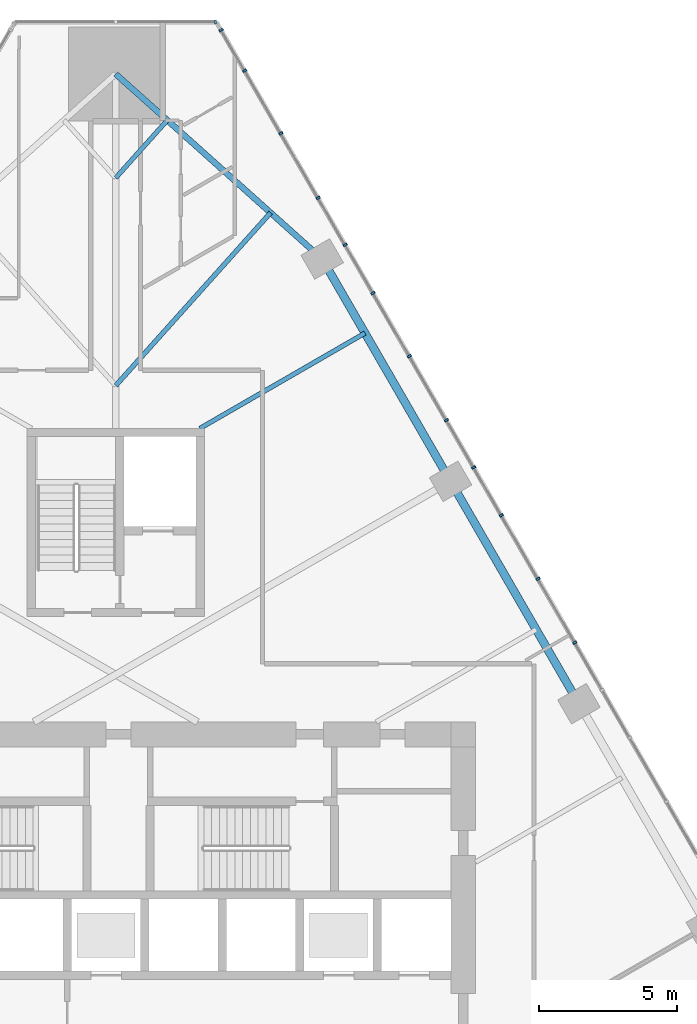
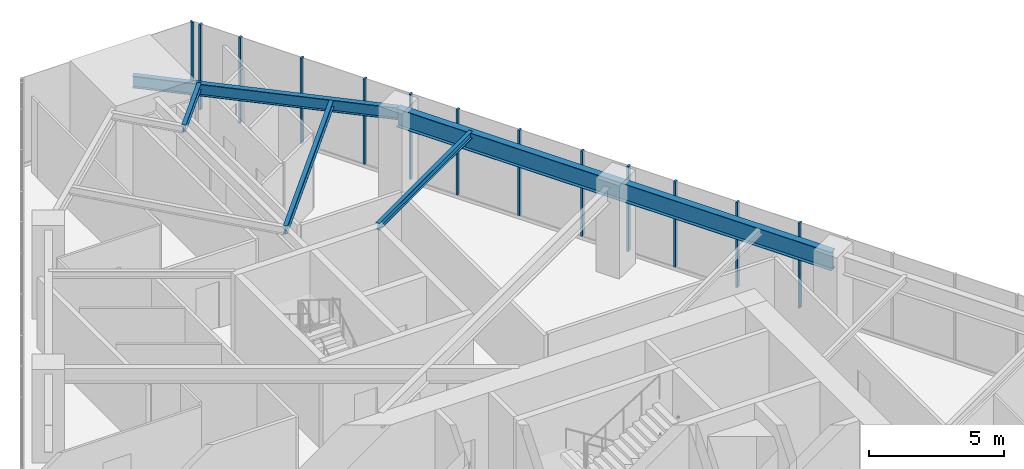
# One storey, part 10 of 22: 13 members, 5 beams, 2 elements without a shape of their own.
"""IFC4 building model written with IfcOpenShell, lengths in metres."""

from ifc_helpers import new_model, si_unit, direction, frame, origin, origin_2d, place, context, subcontext, project, spatial, rectangle, i_section, extrude, material, layer, layer_set, material_profile, profile_set, type_object, element, aggregate, save


model = new_model("IFC4")

# Units and contexts
model_context = context("Model", 3, precision=1e-05, world=origin(), true_north=direction((0.0, 1.0)))
body_context = subcontext(model_context, "Body", "Model", "MODEL_VIEW")
ifc_project = project(units=[si_unit("LENGTHUNIT", "METRE"), si_unit("AREAUNIT", "SQUARE_METRE"), si_unit("VOLUMEUNIT", "CUBIC_METRE"), si_unit("PLANEANGLEUNIT", "RADIAN"), si_unit("MASSUNIT", "GRAM", prefix="KILO")], contexts=[model_context])

# Site, building, storey
site_placement = place(None, origin())
site = spatial("IfcSite", under=ifc_project, at=site_placement, CompositionType="ELEMENT")
building_placement = place(site_placement, origin())
building = spatial("IfcBuilding", under=site, at=building_placement, Name="Firuza Gate Tower and Library", CompositionType="ELEMENT")
storey_placement = place(building_placement, frame((0.0, 0.0, 132.39990234375)))
storey = spatial("IfcBuildingStorey", under=building, at=storey_placement, Name="L30", CompositionType="ELEMENT", Elevation=132.39990234375)

# Curtain wall, members
ifc_material_1 = material(Name="Aluminium 6063-T6", Category="aluminium")
ifc_layer_1 = layer(ifc_material_1, 0.14990234375)
ifc_layer_set_1 = layer_set([ifc_layer_1], Name="Unitised curtain wall, offices")
curtain_wall_type_1 = type_object("IfcCurtainWallType", Name="Unitised curtain wall, offices", PredefinedType="NOTDEFINED", material=ifc_layer_set_1)
placement = place(storey_placement, origin())
curtain_wall_1 = element("IfcCurtainWall", 1, at=placement, inside=storey, type_object=curtain_wall_type_1, Name="CW1 L30 E face", PredefinedType="NOTDEFINED")
ifc_material_2 = material(Name="Aluminium 6063-T6", Category="aluminium")
ifc_material_profile_1 = material_profile(ifc_material_2, rectangle(XDim=0.14990234375, YDim=0.080078125, at=origin_2d()))
ifc_profile_set_1 = profile_set([ifc_material_profile_1], Name="Aluminium 6063-T6")
member_type = type_object("IfcMemberType", Name="Curtain wall mullion 80x150", PredefinedType="MULLION", material=ifc_profile_set_1)
member_1_placement = place(storey_placement, frame((90.251708984375, 89.167236328125, 0.150146484375), z_axis=(0.0, 0.0, 1.0), x_axis=(-0.866025403784, -0.5, 0.0)))
member_1 = element("IfcMember", 2, at=member_1_placement, type_object=member_type, Name="Mullion", PredefinedType="MULLION", context=body_context, shape_type="SweptSolid", body=[
    extrude(rectangle(XDim=0.14990234375, YDim=0.080078125, at=origin_2d()), origin(), (0.0, 0.0, 1.0), 3.849853515625),
])
member_2_placement = place(storey_placement, frame((87.929931640625, 93.1884765625, 0.150146484375), z_axis=(0.0, 0.0, 1.0), x_axis=(-0.866025403784, -0.5, 0.0)))
member_2 = element("IfcMember", 3, at=member_2_placement, type_object=member_type, Name="Mullion", PredefinedType="MULLION", context=body_context, shape_type="SweptSolid", body=[
    extrude(rectangle(XDim=0.14990234375, YDim=0.080078125, at=origin_2d()), origin(), (0.0, 0.0, 1.0), 3.849853515625),
])
member_3_placement = place(storey_placement, frame((85.6083984375, 97.209716796875, 0.150146484375), z_axis=(0.0, 0.0, 1.0), x_axis=(-0.866025403784, -0.5, 0.0)))
member_3 = element("IfcMember", 4, at=member_3_placement, type_object=member_type, Name="Mullion", PredefinedType="MULLION", context=body_context, shape_type="SweptSolid", body=[
    extrude(rectangle(XDim=0.14990234375, YDim=0.080078125, at=origin_2d()), origin(), (0.0, 0.0, 1.0), 3.849853515625),
])
member_4_placement = place(storey_placement, frame((83.28662109375, 101.23095703125, 0.150146484375), z_axis=(0.0, 0.0, 1.0), x_axis=(-0.866025403784, -0.5, 0.0)))
member_4 = element("IfcMember", 5, at=member_4_placement, type_object=member_type, Name="Mullion", PredefinedType="MULLION", context=body_context, shape_type="SweptSolid", body=[
    extrude(rectangle(XDim=0.14990234375, YDim=0.080078125, at=origin_2d()), origin(), (0.0, 0.0, 1.0), 3.849853515625),
])
member_5_placement = place(storey_placement, frame((80.965087890625, 105.25244140625, 0.150146484375), z_axis=(0.0, 0.0, 1.0), x_axis=(-0.866025403784, -0.5, 0.0)))
member_5 = element("IfcMember", 6, at=member_5_placement, type_object=member_type, Name="Mullion", PredefinedType="MULLION", context=body_context, shape_type="SweptSolid", body=[
    extrude(rectangle(XDim=0.14990234375, YDim=0.080078125, at=origin_2d()), origin(), (0.0, 0.0, 1.0), 3.849853515625),
])
member_6_placement = place(storey_placement, frame((91.58154296875, 86.864013671875, 0.150146484375), z_axis=(0.0, 0.0, 1.0), x_axis=(-0.866025403784, -0.5, 0.0)))
member_6 = element("IfcMember", 7, at=member_6_placement, type_object=member_type, Name="Mullion", PredefinedType="MULLION", context=body_context, shape_type="SweptSolid", body=[
    extrude(rectangle(XDim=0.14990234375, YDim=0.080078125, at=origin_2d()), origin(), (0.0, 0.0, 1.0), 3.849853515625),
])
member_7_placement = place(storey_placement, frame((88.92919921875, 91.4580078125, 0.150146484375), z_axis=(0.0, 0.0, 1.0), x_axis=(-0.866025403784, -0.5, 0.0)))
member_7 = element("IfcMember", 8, at=member_7_placement, type_object=member_type, Name="Mullion", PredefinedType="MULLION", context=body_context, shape_type="SweptSolid", body=[
    extrude(rectangle(XDim=0.14990234375, YDim=0.080078125, at=origin_2d()), origin(), (0.0, 0.0, 1.0), 3.849853515625),
])
member_8_placement = place(storey_placement, frame((86.9453125, 94.89404296875, 0.150146484375), z_axis=(0.0, 0.0, 1.0), x_axis=(-0.866025403784, -0.5, 0.0)))
member_8 = element("IfcMember", 9, at=member_8_placement, type_object=member_type, Name="Mullion", PredefinedType="MULLION", context=body_context, shape_type="SweptSolid", body=[
    extrude(rectangle(XDim=0.14990234375, YDim=0.080078125, at=origin_2d()), origin(), (0.0, 0.0, 1.0), 3.849853515625),
])
member_9_placement = place(storey_placement, frame((84.29296875, 99.488037109375, 0.150146484375), z_axis=(0.0, 0.0, 1.0), x_axis=(-0.866025403784, -0.5, 0.0)))
member_9 = element("IfcMember", 10, at=member_9_placement, type_object=member_type, Name="Mullion", PredefinedType="MULLION", context=body_context, shape_type="SweptSolid", body=[
    extrude(rectangle(XDim=0.14990234375, YDim=0.080078125, at=origin_2d()), origin(), (0.0, 0.0, 1.0), 3.849853515625),
])
member_10_placement = place(storey_placement, frame((82.309326171875, 102.924072265625, 0.150146484375), z_axis=(0.0, 0.0, 1.0), x_axis=(-0.866025403784, -0.5, 0.0)))
member_10 = element("IfcMember", 11, at=member_10_placement, type_object=member_type, Name="Mullion", PredefinedType="MULLION", context=body_context, shape_type="SweptSolid", body=[
    extrude(rectangle(XDim=0.14990234375, YDim=0.080078125, at=origin_2d()), origin(), (0.0, 0.0, 1.0), 3.849853515625),
])
member_11_placement = place(storey_placement, frame((79.65673828125, 107.51806640625, 0.150146484375), z_axis=(0.0, 0.0, 1.0), x_axis=(-0.866025403784, -0.5, 0.0)))
member_11 = element("IfcMember", 12, at=member_11_placement, type_object=member_type, Name="Mullion", PredefinedType="MULLION", context=body_context, shape_type="SweptSolid", body=[
    extrude(rectangle(XDim=0.14990234375, YDim=0.080078125, at=origin_2d()), origin(), (0.0, 0.0, 1.0), 3.849853515625),
])
member_12_placement = place(storey_placement, frame((78.808837890625, 108.98681640625, 0.150146484375), z_axis=(0.0, 0.0, 1.0), x_axis=(-0.866025403784, -0.5, 0.0)))
member_12 = element("IfcMember", 13, at=member_12_placement, type_object=member_type, Name="Mullion", PredefinedType="MULLION", context=body_context, shape_type="SweptSolid", body=[
    extrude(rectangle(XDim=0.14990234375, YDim=0.080078125, at=origin_2d()), origin(), (0.0, 0.0, 1.0), 3.849853515625),
])
aggregate(curtain_wall_1, [member_1, member_2, member_3, member_4, member_5, member_6, member_7, member_8, member_9, member_10, member_11, member_12])

# Curtain wall, member
ifc_material_3 = material(Name="Aluminium 6063-T6", Category="aluminium")
ifc_layer_2 = layer(ifc_material_3, 0.14990234375)
ifc_layer_set_2 = layer_set([ifc_layer_2], Name="Corner curtain wall, chamfers")
curtain_wall_type_2 = type_object("IfcCurtainWallType", Name="Corner curtain wall, chamfers", PredefinedType="NOTDEFINED", material=ifc_layer_set_2)
curtain_wall_2 = element("IfcCurtainWall", 14, at=placement, inside=storey, type_object=curtain_wall_type_2, Name="CW4 L30 N corner", PredefinedType="NOTDEFINED")
member_13_placement = place(storey_placement, frame((78.603271484375, 109.273681640625, 0.150146484375), z_axis=(0.0, 0.0, 1.0), x_axis=(0.0, -1.0, 0.0)))
member_13 = element("IfcMember", 15, at=member_13_placement, type_object=member_type, Name="Mullion", PredefinedType="MULLION", context=body_context, shape_type="SweptSolid", body=[
    extrude(rectangle(XDim=0.14990234375, YDim=0.080078125, at=origin_2d()), origin(), (0.0, 0.0, 1.0), 3.849853515625),
])
aggregate(curtain_wall_2, [member_13])

# Beams
ifc_material_4 = material(Name="Steel S355", Category="steel")
ifc_material_profile_2 = material_profile(ifc_material_4, i_section(OverallWidth=0.1650390625, OverallDepth=0.31005859375, WebThickness=0.005859375, FlangeThickness=0.009765625, at=origin_2d()))
ifc_profile_set_2 = profile_set([ifc_material_profile_2], Name="Steel S355")
beam_type_1 = type_object("IfcBeamType", Name="W310x39 Floor beam", PredefinedType="JOIST", material=ifc_profile_set_2)
beam_1_placement = place(storey_placement, frame((84.002197265625, 98.0419921875, 3.84521484375), z_axis=(-0.866030259979, -0.49999158873, 0.0), x_axis=(0.49999158873, -0.866030259979, 0.0)))
element("IfcBeam", 16, at=beam_1_placement, inside=storey, type_object=beam_type_1, Name="Floor beam L30 s55", PredefinedType="JOIST", context=body_context, shape_type="SweptSolid", body=[
    extrude(i_section(OverallWidth=0.1650390625, OverallDepth=0.31005859375, WebThickness=0.005859375, FlangeThickness=0.009765625, at=origin_2d()), origin(), (0.0, 0.0, 1.0), 6.8837890625),
])
beam_2_placement = place(storey_placement, frame((76.8642578125, 105.728515625, 3.84521484375), z_axis=(-0.667287711118, -0.744800047389, 0.0), x_axis=(0.744800047389, -0.667287711118, 0.0)))
element("IfcBeam", 17, at=beam_2_placement, inside=storey, type_object=beam_type_1, Name="Floor beam L30 s61", PredefinedType="JOIST", context=body_context, shape_type="SweptSolid", body=[
    extrude(i_section(OverallWidth=0.1650390625, OverallDepth=0.31005859375, WebThickness=0.005859375, FlangeThickness=0.009765625, at=origin_2d()), origin(), (0.0, 0.0, 1.0), 2.793701171875),
])
ifc_material_5 = material(Name="Steel S355", Category="steel")
ifc_material_profile_3 = material_profile(ifc_material_5, i_section(OverallWidth=0.1708984375, OverallDepth=0.35498046875, WebThickness=0.007080078125, FlangeThickness=0.01171875, at=origin_2d()))
ifc_profile_set_3 = profile_set([ifc_material_profile_3], Name="Steel S355")
beam_type_2 = type_object("IfcBeamType", Name="W360x51 Floor beam", PredefinedType="JOIST", material=ifc_profile_set_3)
beam_3_placement = place(storey_placement, frame((80.592529296875, 102.388671875, 3.822509765625), z_axis=(-0.667242598302, -0.744840462792, 0.0), x_axis=(0.744840462792, -0.667242598302, 0.0)))
element("IfcBeam", 18, at=beam_3_placement, inside=storey, type_object=beam_type_2, Name="Floor beam L30 s60", PredefinedType="JOIST", context=body_context, shape_type="SweptSolid", body=[
    extrude(i_section(OverallWidth=0.1708984375, OverallDepth=0.35498046875, WebThickness=0.007080078125, FlangeThickness=0.01171875, at=origin_2d()), origin(), (0.0, 0.0, 1.0), 8.381591796875),
])
ifc_material_6 = material(Name="Steel S355", Category="steel")
ifc_material_profile_4 = material_profile(ifc_material_6, i_section(OverallWidth=0.212890625, OverallDepth=0.5390625, WebThickness=0.01171875, FlangeThickness=0.018798828125, at=origin_2d()))
ifc_profile_set_4 = profile_set([ifc_material_profile_4], Name="Steel S355")
beam_type_3 = type_object("IfcBeamType", Name="W530x109 Edge beam", PredefinedType="SPANDREL", material=ifc_profile_set_4)
beam_4_placement = place(storey_placement, frame((82.456787109375, 100.718505859375, 3.730712890625), z_axis=(-0.744828518345, 0.667255931603, 0.0), x_axis=(-0.667255931603, -0.744828518345, 0.0)))
element("IfcBeam", 19, at=beam_4_placement, inside=storey, type_object=beam_type_3, Name="Edge beam L30 e60", PredefinedType="SPANDREL", context=body_context, shape_type="SweptSolid", body=[
    extrude(i_section(OverallWidth=0.212890625, OverallDepth=0.5390625, WebThickness=0.01171875, FlangeThickness=0.018798828125, at=origin_2d()), origin(), (0.0, 0.0, 1.0), 10.011474609375),
])
ifc_material_7 = material(Name="Steel S355", Category="steel")
ifc_material_profile_5 = material_profile(ifc_material_7, i_section(OverallWidth=0.2919921875, OverallDepth=0.8349609375, WebThickness=0.013916015625, FlangeThickness=0.018798828125, at=origin_2d()))
ifc_profile_set_5 = profile_set([ifc_material_profile_5], Name="Steel S355")
beam_type_4 = type_object("IfcBeamType", Name="W840x176 Edge beam", PredefinedType="SPANDREL", material=ifc_profile_set_5)
beam_5_placement = place(storey_placement, frame((91.72900390625, 84.658447265625, 3.58251953125), z_axis=(-0.499997478145, 0.866026859773, 0.0), x_axis=(-0.866026859773, -0.499997478145, 0.0)))
element("IfcBeam", 20, at=beam_5_placement, inside=storey, type_object=beam_type_4, Name="Edge beam L30 e52", PredefinedType="SPANDREL", context=body_context, shape_type="SweptSolid", body=[
    extrude(i_section(OverallWidth=0.2919921875, OverallDepth=0.8349609375, WebThickness=0.013916015625, FlangeThickness=0.018798828125, at=origin_2d()), origin(), (0.0, 0.0, 1.0), 18.54443359375),
])

save(model, "model.ifc")
